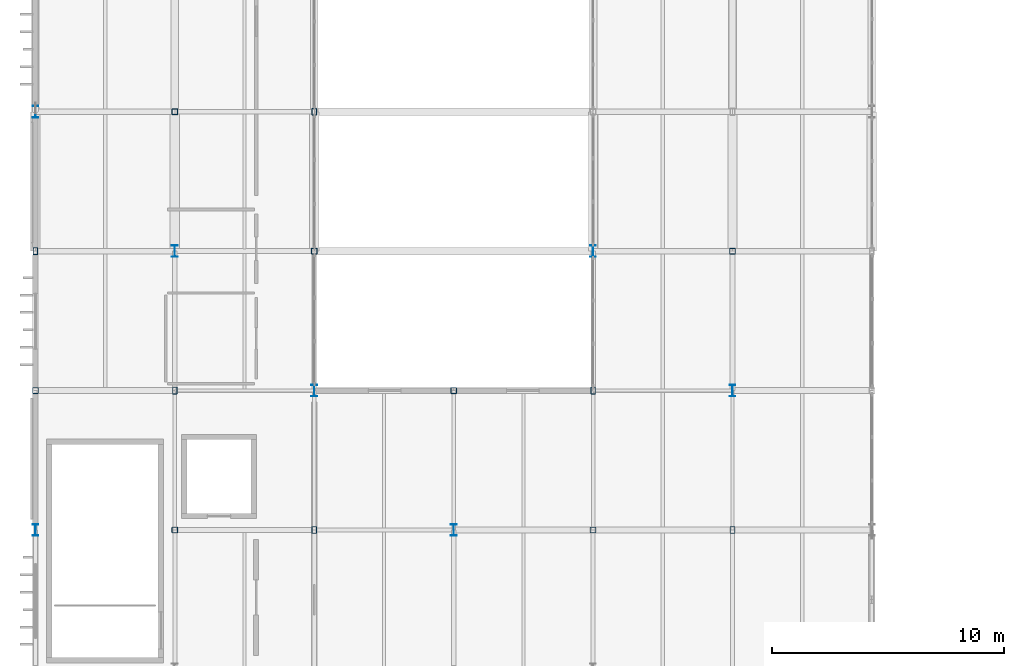
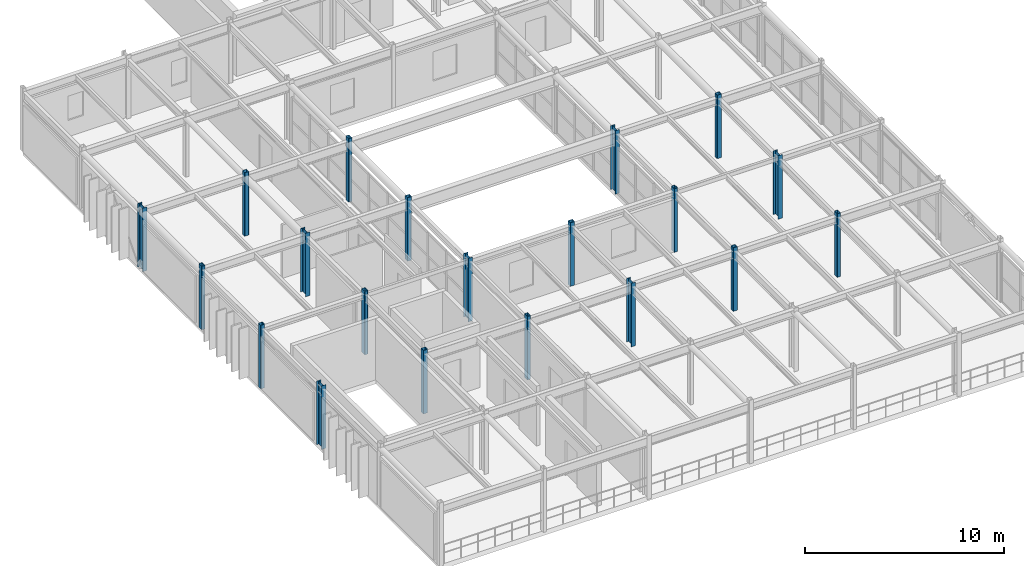
# One storey, part 2 of 63: 20 columns.
"""IFC4 building model written with IfcOpenShell, lengths in metres."""

from ifc_helpers import new_model, si_unit, direction, frame, origin, origin_2d, place, context, subcontext, project, spatial, hollow_rectangle, i_section, extrude, material, material_profile, profile_set, type_object, element, save


model = new_model("IFC4")

# Units and contexts
model_context = context("Model", 3, precision=1e-05, world=origin(), true_north=direction((0.0, 1.0)))
body_context = subcontext(model_context, "Body", "Model", "MODEL_VIEW")
ifc_project = project(units=[si_unit("LENGTHUNIT", "METRE"), si_unit("AREAUNIT", "SQUARE_METRE"), si_unit("VOLUMEUNIT", "CUBIC_METRE"), si_unit("PLANEANGLEUNIT", "RADIAN"), si_unit("MASSUNIT", "GRAM", prefix="KILO")], contexts=[model_context])

# Site, building, storey
site_placement = place(None, origin())
site = spatial("IfcSite", under=ifc_project, at=site_placement, CompositionType="ELEMENT")
building_placement = place(site_placement, origin())
building = spatial("IfcBuilding", under=site, at=building_placement, Name="Varnakota Square Police Headquarters", CompositionType="ELEMENT")
storey_placement = place(building_placement, frame((0.0, 0.0, 22.199951171875)))
storey = spatial("IfcBuildingStorey", under=building, at=storey_placement, Name="L05", CompositionType="ELEMENT", Elevation=22.199951171875)

# Columns
ifc_material = material(Name="Steel IS 2062 Grade 350", Category="steel")
ifc_material_profile_1 = material_profile(ifc_material, i_section(OverallWidth=0.25, OverallDepth=0.5, WebThickness=0.010009765625, FlangeThickness=0.0146484375, FilletRadius=0.014892578125, at=origin_2d()), Name="ISWB 500")
ifc_profile_set_1 = profile_set([ifc_material_profile_1], Name="Steel IS 2062 Grade 350")
column_type_1 = type_object("IfcColumnType", Name="COL-ISWB500", PredefinedType="COLUMN", material=ifc_profile_set_1)
for number, where, z_axis, x_axis, name in (
    (1, (6.0, 33.0, 0.0), (0.0, 0.0, 1.0), (1.0, 0.0, 0.0), "Column X0060-Y0330 L05"),
    (2, (6.0, 51.0, 0.0), (0.0, 0.0, 1.0), (1.0, 0.0, 0.0), "Column X0060-Y0510 L05"),
    (3, (12.0, 45.0, 0.0), (0.0, 0.0, 1.0), (1.0, 0.0, 0.0), "Column X0120-Y0450 L05"),
    (4, (18.0, 39.0, 0.0), (0.0, 0.0, 1.0), (1.0, 0.0, 0.0), "Column X0180-Y0390 L05"),
    (5, (24.0, 33.0, 0.0), (0.0, 0.0, 1.0), (1.0, 0.0, 0.0), "Column X0240-Y0330 L05"),
    (6, (30.0, 45.0, 0.0), (0.0, 0.0, 1.0), (1.0, 0.0, 0.0), "Column X0300-Y0450 L05"),
    (7, (36.0, 39.0, 0.0), (0.0, 0.0, 1.0), (1.0, 0.0, 0.0), "Column X0360-Y0390 L05"),
):
    element("IfcColumn", number, at=place(storey_placement, frame(where, z_axis=z_axis, x_axis=x_axis)), inside=storey, type_object=column_type_1, Name=name, PredefinedType="COLUMN", context=body_context, shape_type="SweptSolid", body=[
        extrude(i_section(OverallWidth=0.25, OverallDepth=0.5, WebThickness=0.010009765625, FlangeThickness=0.0146484375, FilletRadius=0.014892578125, at=origin_2d()), origin(), (0.0, 0.0, 1.0), 3.900146484375),
    ])
ifc_material_profile_2 = material_profile(ifc_material, hollow_rectangle(XDim=0.199951171875, YDim=0.300048828125, WallThickness=0.011962890625, InnerFilletRadius=0.011962890625, OuterFilletRadius=0.02392578125, at=origin_2d()), Name="RHS 300x200x12")
ifc_profile_set_2 = profile_set([ifc_material_profile_2], Name="Steel IS 2062 Grade 350")
column_type_2 = type_object("IfcColumnType", Name="COL-RHS300", PredefinedType="COLUMN", material=ifc_profile_set_2)
for number, where, z_axis, x_axis, name in (
    (8, (6.0, 45.0, 0.0), (0.0, 0.0, 1.0), (1.0, 0.0, 0.0), "Column X0060-Y0450 L05"),
    (9, (12.0, 39.0, 0.0), (0.0, 0.0, 1.0), (1.0, 0.0, 0.0), "Column X0120-Y0390 L05"),
    (10, (18.0, 33.0, 0.0), (0.0, 0.0, 1.0), (1.0, 0.0, 0.0), "Column X0180-Y0330 L05"),
    (11, (18.0, 51.0, 0.0), (0.0, 0.0, 1.0), (1.0, 0.0, 0.0), "Column X0180-Y0510 L05"),
    (12, (30.0, 39.0, 0.0), (0.0, 0.0, 1.0), (1.0, 0.0, 0.0), "Column X0300-Y0390 L05"),
    (13, (36.0, 33.0, 0.0), (0.0, 0.0, 1.0), (1.0, 0.0, 0.0), "Column X0360-Y0330 L05"),
):
    element("IfcColumn", number, at=place(storey_placement, frame(where, z_axis=z_axis, x_axis=x_axis)), inside=storey, type_object=column_type_2, Name=name, PredefinedType="COLUMN", context=body_context, shape_type="SweptSolid", body=[
        extrude(hollow_rectangle(XDim=0.199951171875, YDim=0.300048828125, WallThickness=0.011962890625, InnerFilletRadius=0.011962890625, OuterFilletRadius=0.02392578125, at=origin_2d()), origin(), (0.0, 0.0, 1.0), 3.900146484375),
    ])
ifc_material_profile_3 = material_profile(ifc_material, hollow_rectangle(XDim=0.25, YDim=0.25, WallThickness=0.011962890625, InnerFilletRadius=0.011962890625, OuterFilletRadius=0.02392578125, at=origin_2d()), Name="SHS 250x250x12")
ifc_profile_set_3 = profile_set([ifc_material_profile_3], Name="Steel IS 2062 Grade 350")
column_type_3 = type_object("IfcColumnType", Name="COL-SHS250", PredefinedType="COLUMN", material=ifc_profile_set_3)
for number, where, z_axis, x_axis, name in (
    (14, (6.0, 39.0, 0.0), (0.0, 0.0, 1.0), (1.0, 0.0, 0.0), "Column X0060-Y0390 L05"),
    (15, (12.0, 33.0, 0.0), (0.0, 0.0, 1.0), (1.0, 0.0, 0.0), "Column X0120-Y0330 L05"),
    (16, (12.0, 51.0, 0.0), (0.0, 0.0, 1.0), (1.0, 0.0, 0.0), "Column X0120-Y0510 L05"),
    (17, (18.0, 45.0, 0.0), (0.0, 0.0, 1.0), (1.0, 0.0, 0.0), "Column X0180-Y0450 L05"),
    (18, (24.0, 39.0, 0.0), (0.0, 0.0, 1.0), (1.0, 0.0, 0.0), "Column X0240-Y0390 L05"),
    (19, (30.0, 33.0, 0.0), (0.0, 0.0, 1.0), (1.0, 0.0, 0.0), "Column X0300-Y0330 L05"),
    (20, (36.0, 45.0, 0.0), (0.0, 0.0, 1.0), (1.0, 0.0, 0.0), "Column X0360-Y0450 L05"),
):
    element("IfcColumn", number, at=place(storey_placement, frame(where, z_axis=z_axis, x_axis=x_axis)), inside=storey, type_object=column_type_3, Name=name, PredefinedType="COLUMN", context=body_context, shape_type="SweptSolid", body=[
        extrude(hollow_rectangle(XDim=0.25, YDim=0.25, WallThickness=0.011962890625, InnerFilletRadius=0.011962890625, OuterFilletRadius=0.02392578125, at=origin_2d()), origin(), (0.0, 0.0, 1.0), 3.900146484375),
    ])

save(model, "model.ifc")
